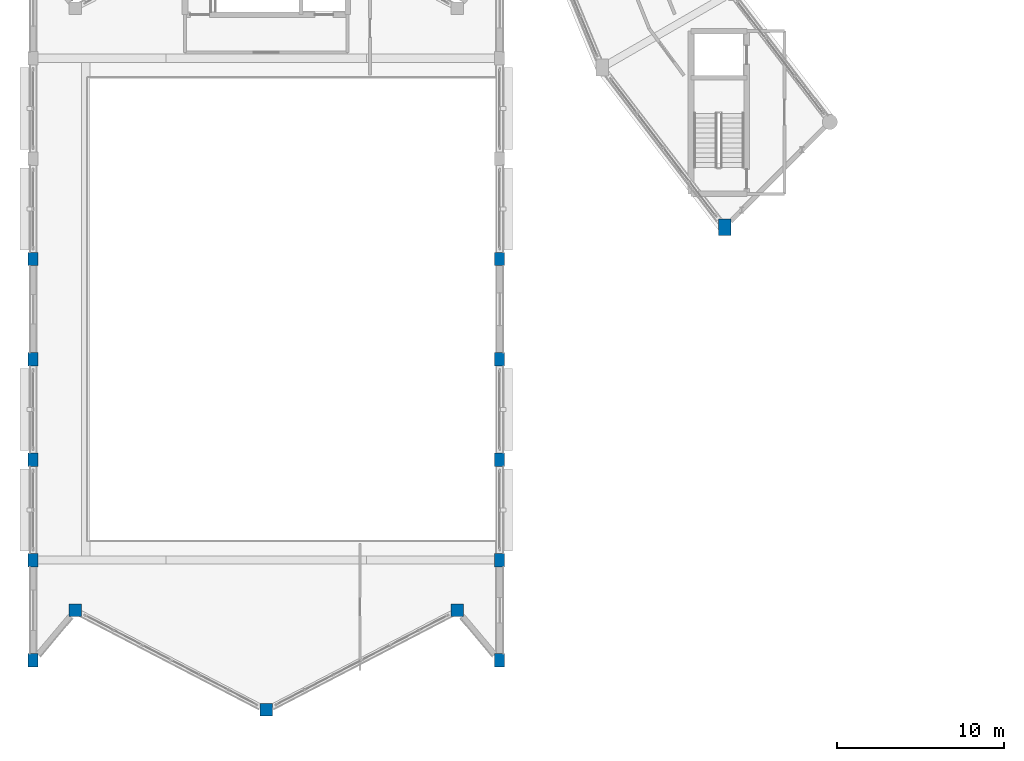
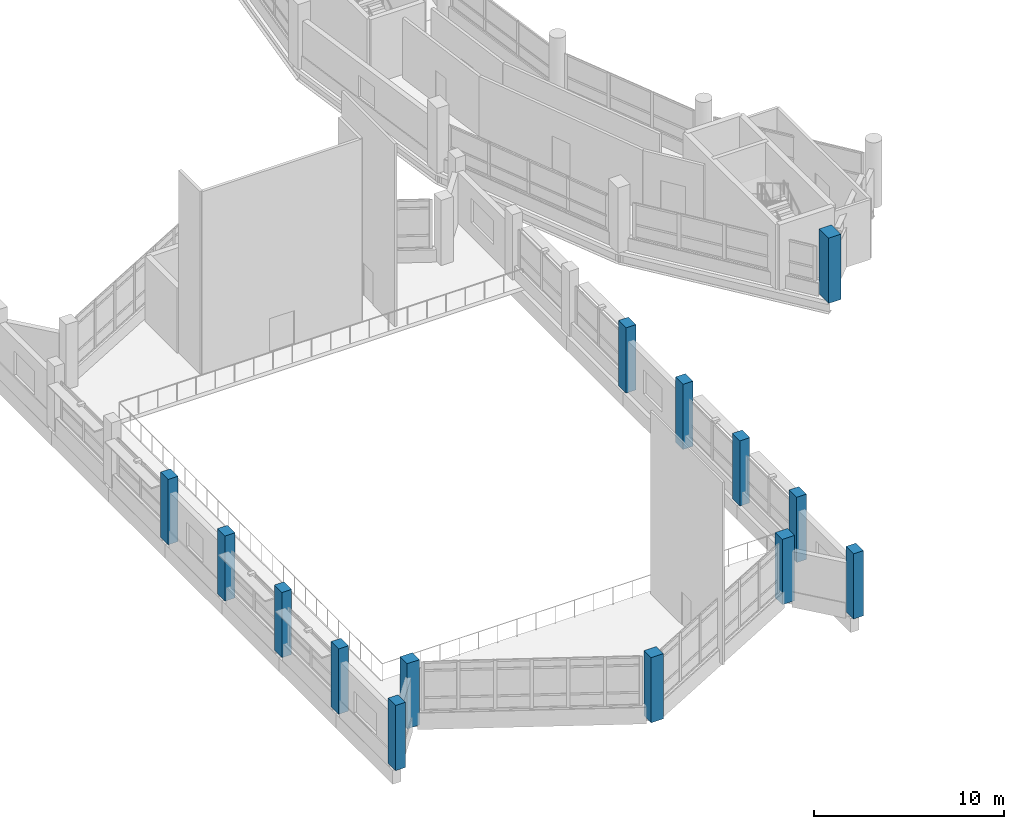
# One storey, part 1 of 128: 14 columns.
"""IFC4 building model written with IfcOpenShell, lengths in metres."""

from ifc_helpers import new_model, si_unit, direction, frame, origin, origin_2d, place, context, subcontext, project, spatial, rectangle, extrude, material, material_profile, profile_set, type_object, element, save


model = new_model("IFC4")

# Units and contexts
model_context = context("Model", 3, precision=1e-05, world=origin(), true_north=direction((0.0, 1.0)))
body_context = subcontext(model_context, "Body", "Model", "MODEL_VIEW")
ifc_project = project(units=[si_unit("LENGTHUNIT", "METRE"), si_unit("AREAUNIT", "SQUARE_METRE"), si_unit("VOLUMEUNIT", "CUBIC_METRE"), si_unit("PLANEANGLEUNIT", "RADIAN"), si_unit("MASSUNIT", "GRAM", prefix="KILO")], contexts=[model_context])

# Site, building, storey
site_placement = place(None, origin())
site = spatial("IfcSite", under=ifc_project, at=site_placement, CompositionType="ELEMENT")
building_placement = place(site_placement, origin())
building = spatial("IfcBuilding", under=site, at=building_placement, Name="Vespera Passage Community Centre", CompositionType="ELEMENT")
storey_placement = place(building_placement, frame((0.0, 0.0, 4.5)))
storey = spatial("IfcBuildingStorey", under=building, at=storey_placement, Name="L01", CompositionType="ELEMENT", Elevation=4.5)

# Columns
ifc_material_1 = material(Name="Concrete f'c 45 MPa", Category="concrete")
ifc_material_profile_1 = material_profile(ifc_material_1, rectangle(XDim=0.75, YDim=1.0, at=origin_2d()), Name="RC1000X750")
ifc_profile_set_1 = profile_set([ifc_material_profile_1], Name="Concrete f'c 45 MPa")
column_type_1 = type_object("IfcColumnType", Name="COL-RC1000X750E", PredefinedType="COLUMN", material=ifc_profile_set_1)
column_placement = place(storey_placement, frame((45.40234375, 32.90234375, 0.0), z_axis=(0.0, 0.0, 1.0), x_axis=(1.0, 0.0, 0.0)))
element("IfcColumn", 1, at=column_placement, inside=storey, type_object=column_type_1, Name="L01 Column V4-O15", PredefinedType="COLUMN", context=body_context, shape_type="SweptSolid", body=[
    extrude(rectangle(XDim=0.75, YDim=1.0, at=origin_2d()), origin(), (0.0, 0.0, 1.0), 4.199951171875),
])
ifc_material_2 = material(Name="Concrete f'c 45 MPa", Category="concrete")
ifc_material_profile_2 = material_profile(ifc_material_2, rectangle(XDim=0.75, YDim=0.75, at=origin_2d()), Name="RC750X750")
ifc_profile_set_2 = profile_set([ifc_material_profile_2], Name="Concrete f'c 45 MPa")
column_type_2 = type_object("IfcColumnType", Name="COL-RC750E", PredefinedType="COLUMN", material=ifc_profile_set_2)
for number, where, z_axis, x_axis, name in (
    (2, (6.57275390625, 9.99853515625, 0.0), (0.0, 0.0, 1.0), (1.0, 0.0, 0.0), "L01 Column V1-AS1"),
    (3, (18.0, 4.050048828125, 0.0), (0.0, 0.0, 1.0), (1.0, 0.0, 0.0), "L01 Column V1-AS2"),
    (4, (29.42724609375, 9.99853515625, 0.0), (0.0, 0.0, 1.0), (1.0, 0.0, 0.0), "L01 Column V1-AS3"),
):
    element("IfcColumn", number, at=place(storey_placement, frame(where, z_axis=z_axis, x_axis=x_axis)), inside=storey, type_object=column_type_2, Name=name, PredefinedType="COLUMN", context=body_context, shape_type="SweptSolid", body=[
        extrude(rectangle(XDim=0.75, YDim=0.75, at=origin_2d()), origin(), (0.0, 0.0, 1.0), 4.199951171875),
    ])
ifc_material_3 = material(Name="Concrete f'c 45 MPa", Category="concrete")
ifc_material_profile_3 = material_profile(ifc_material_3, rectangle(XDim=0.60009765625, YDim=0.800048828125, at=origin_2d()), Name="RC800X600")
ifc_profile_set_3 = profile_set([ifc_material_profile_3], Name="Concrete f'c 45 MPa")
column_type_3 = type_object("IfcColumnType", Name="COL-RC800X600E", PredefinedType="COLUMN", material=ifc_profile_set_3)
for number, where, z_axis, x_axis, name in (
    (5, (31.949951171875, 7.0, 0.0), (0.0, 0.0, 1.0), (1.0, 0.0, 0.0), "L01 Column V1-E1"),
    (6, (31.949951171875, 13.0, 0.0), (0.0, 0.0, 1.0), (1.0, 0.0, 0.0), "L01 Column V1-E2"),
    (7, (31.949951171875, 19.0, 0.0), (0.0, 0.0, 1.0), (1.0, 0.0, 0.0), "L01 Column V1-E3"),
    (8, (31.949951171875, 25.0, 0.0), (0.0, 0.0, 1.0), (1.0, 0.0, 0.0), "L01 Column V1-E4"),
    (9, (31.949951171875, 31.0, 0.0), (0.0, 0.0, 1.0), (1.0, 0.0, 0.0), "L01 Column V1-E5"),
    (10, (4.050048828125, 7.0, 0.0), (0.0, 0.0, 1.0), (1.0, 0.0, 0.0), "L01 Column V1-W1"),
    (11, (4.050048828125, 13.0, 0.0), (0.0, 0.0, 1.0), (1.0, 0.0, 0.0), "L01 Column V1-W2"),
    (12, (4.050048828125, 19.0, 0.0), (0.0, 0.0, 1.0), (1.0, 0.0, 0.0), "L01 Column V1-W3"),
    (13, (4.050048828125, 25.0, 0.0), (0.0, 0.0, 1.0), (1.0, 0.0, 0.0), "L01 Column V1-W4"),
    (14, (4.050048828125, 31.0, 0.0), (0.0, 0.0, 1.0), (1.0, 0.0, 0.0), "L01 Column V1-W5"),
):
    element("IfcColumn", number, at=place(storey_placement, frame(where, z_axis=z_axis, x_axis=x_axis)), inside=storey, type_object=column_type_3, Name=name, PredefinedType="COLUMN", context=body_context, shape_type="SweptSolid", body=[
        extrude(rectangle(XDim=0.60009765625, YDim=0.800048828125, at=origin_2d()), origin(), (0.0, 0.0, 1.0), 4.199951171875),
    ])

save(model, "model.ifc")
